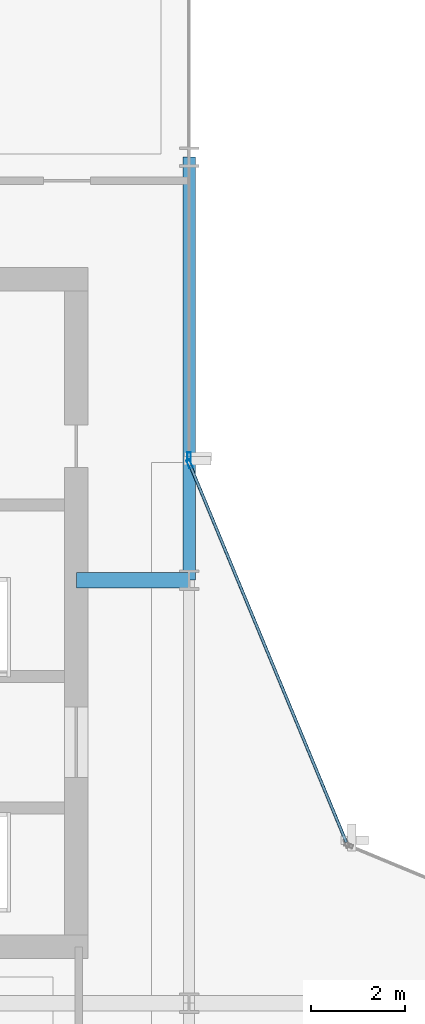
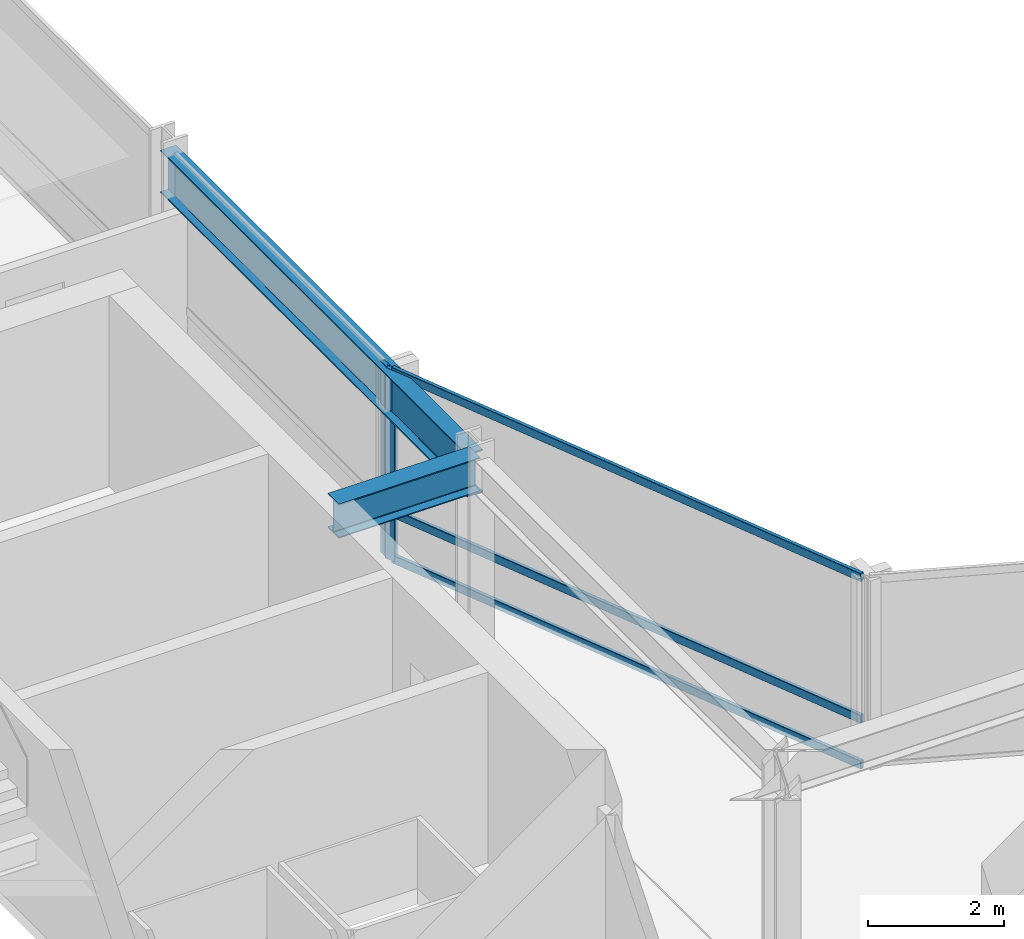
# One storey, part 17 of 29: 5 members, 2 beams, 2 elements without a shape of their own.
"""IFC4 building model written with IfcOpenShell, lengths in metres."""

from ifc_helpers import new_model, si_unit, direction, frame, origin, origin_2d, place, context, subcontext, project, spatial, hollow_rectangle, i_section, extrude, material, layer, layer_set, material_profile, profile_set, type_object, element, aggregate, save


model = new_model("IFC4")

# Units and contexts
model_context = context("Model", 3, precision=1e-05, world=origin(), true_north=direction((0.0, 1.0)))
body_context = subcontext(model_context, "Body", "Model", "MODEL_VIEW")
ifc_project = project(units=[si_unit("LENGTHUNIT", "METRE"), si_unit("AREAUNIT", "SQUARE_METRE"), si_unit("VOLUMEUNIT", "CUBIC_METRE"), si_unit("PLANEANGLEUNIT", "RADIAN"), si_unit("MASSUNIT", "GRAM", prefix="KILO")], contexts=[model_context])

# Site, building, storey
site_placement = place(None, origin())
site = spatial("IfcSite", under=ifc_project, at=site_placement, CompositionType="ELEMENT")
building_placement = place(site_placement, origin())
building = spatial("IfcBuilding", under=site, at=building_placement, Name="Solvaryn Broadcast Tower", CompositionType="ELEMENT")
storey_placement = place(building_placement, frame((0.0, 0.0, 161.800048828125)))
storey = spatial("IfcBuildingStorey", under=building, at=storey_placement, Name="L40", CompositionType="ELEMENT", Elevation=161.800048828125)

# Beams
ifc_material_1 = material(Name="Steel ASTM A992 Grade 50", Category="steel")
ifc_material_profile_1 = material_profile(ifc_material_1, i_section(OverallWidth=0.323974609375, OverallDepth=0.611083984375, WebThickness=0.0126953125, FlangeThickness=0.01904296875, FilletRadius=0.014892578125, at=origin_2d()))
ifc_profile_set_1 = profile_set([ifc_material_profile_1], Name="Steel ASTM A992 Grade 50")
beam_type_1 = type_object("IfcBeamType", Name="BM-B1-W24X104", PredefinedType="BEAM", material=ifc_profile_set_1)
beam_1_placement = place(storey_placement, frame((24.60009765625, 36.0, 3.114501953125), z_axis=(1.0, 0.0, 0.0), x_axis=(0.0, 1.0, 0.0)))
element("IfcBeam", 1, at=beam_1_placement, inside=storey, type_object=beam_type_1, Name="L40 Core Tie Beam CTW2", PredefinedType="BEAM", context=body_context, shape_type="SweptSolid", body=[
    extrude(i_section(OverallWidth=0.323974609375, OverallDepth=0.611083984375, WebThickness=0.0126953125, FlangeThickness=0.01904296875, FilletRadius=0.014892578125, at=origin_2d()), origin(), (0.0, 0.0, 1.0), 2.39990234375),
])
ifc_material_2 = material(Name="Steel ASTM A992 Grade 50", Category="steel")
ifc_material_profile_2 = material_profile(ifc_material_2, i_section(OverallWidth=0.26708984375, OverallDepth=0.76611328125, WebThickness=0.014892578125, FlangeThickness=0.023681640625, FilletRadius=0.01806640625, at=origin_2d()))
ifc_profile_set_2 = profile_set([ifc_material_profile_2], Name="Steel ASTM A992 Grade 50")
beam_type_2 = type_object("IfcBeamType", Name="BM-SP2-W30X124", PredefinedType="USERDEFINED", material=ifc_profile_set_2)
beam_2_placement = place(storey_placement, frame((27.0, 36.0, 3.036865234375), z_axis=(0.0, 1.0, 0.0), x_axis=(-1.0, 0.0, 0.0)))
element("IfcBeam", 2, at=beam_2_placement, inside=storey, type_object=beam_type_2, Name="L40 Spandrel Beam Y (36-45 @ X=27)", ObjectType="SPANDREL", PredefinedType="USERDEFINED", context=body_context, shape_type="SweptSolid", body=[
    extrude(i_section(OverallWidth=0.26708984375, OverallDepth=0.76611328125, WebThickness=0.014892578125, FlangeThickness=0.023681640625, FilletRadius=0.01806640625, at=origin_2d()), origin(), (0.0, 0.0, 1.0), 9.0),
])

# Curtain wall, member
ifc_material_3 = material(Name="Aluminium and Terracotta Unitised Curtain Wall", Category="masonry")
ifc_layer = layer(ifc_material_3, 0.199951171875)
ifc_layer_set = layer_set([ifc_layer], Name="CW-SYS2-LOWMID")
curtain_wall_type = type_object("IfcCurtainWallType", Name="CW-SYS2-LOWMID", PredefinedType="NOTDEFINED", material=ifc_layer_set)
curtain_wall_1_placement = place(storey_placement, origin())
curtain_wall_1 = element("IfcCurtainWall", 3, at=curtain_wall_1_placement, inside=storey, type_object=curtain_wall_type, Name="L40 Curtain Wall IV", PredefinedType="NOTDEFINED")
ifc_material_4 = material(Name="Anodised Aluminium 6063-T6", Category="aluminium")
ifc_material_profile_3 = material_profile(ifc_material_4, hollow_rectangle(XDim=0.074951171875, YDim=0.179931640625, WallThickness=0.00390625, InnerFilletRadius=0.00390625, OuterFilletRadius=0.008056640625, at=origin_2d()))
ifc_profile_set_3 = profile_set([ifc_material_profile_3], Name="Anodised Aluminium 6063-T6")
member_type_1 = type_object("IfcMemberType", Name="CW-MUL-180", PredefinedType="MULLION", material=ifc_profile_set_3)
member_1_placement = place(storey_placement, frame((27.0, 38.6298828125, 0.0), z_axis=(0.0, 0.0, 1.0), x_axis=(1.0, 0.0, 0.0)))
member_1 = element("IfcMember", 4, at=member_1_placement, type_object=member_type_1, Name="CWS2 mullion 2", PredefinedType="MULLION", context=body_context, shape_type="SweptSolid", body=[
    extrude(hollow_rectangle(XDim=0.074951171875, YDim=0.179931640625, WallThickness=0.00390625, InnerFilletRadius=0.00390625, OuterFilletRadius=0.008056640625, at=origin_2d()), origin(), (0.0, 0.0, 1.0), 3.419921875),
])
aggregate(curtain_wall_1, [member_1])

# Curtain wall, members
curtain_wall_2_placement = place(storey_placement, origin())
curtain_wall_2 = element("IfcCurtainWall", 5, at=curtain_wall_2_placement, inside=storey, type_object=curtain_wall_type, Name="L40 Curtain Wall CN2", PredefinedType="NOTDEFINED")
member_2_placement = place(storey_placement, frame((27.011474609375, 38.47216796875, 0.0), z_axis=(0.0, 0.0, 1.0), x_axis=(-0.923894983957, -0.382646127145, 0.0)))
member_2 = element("IfcMember", 6, at=member_2_placement, type_object=member_type_1, Name="CWS2 mullion 2", PredefinedType="MULLION", context=body_context, shape_type="SweptSolid", body=[
    extrude(hollow_rectangle(XDim=0.074951171875, YDim=0.179931640625, WallThickness=0.00390625, InnerFilletRadius=0.00390625, OuterFilletRadius=0.008056640625, at=origin_2d()), origin(), (0.0, 0.0, 1.0), 3.419921875),
])
ifc_material_5 = material(Name="Anodised Aluminium 6063-T6", Category="aluminium")
ifc_material_profile_4 = material_profile(ifc_material_5, hollow_rectangle(XDim=0.06494140625, YDim=0.14990234375, WallThickness=0.00390625, InnerFilletRadius=0.00390625, OuterFilletRadius=0.008056640625, at=origin_2d()))
ifc_profile_set_4 = profile_set([ifc_material_profile_4], Name="Anodised Aluminium 6063-T6")
member_type_2 = type_object("IfcMemberType", Name="CW-TRN-150", PredefinedType="USERDEFINED", material=ifc_profile_set_4)
member_3_placement = place(storey_placement, frame((30.344970703125, 30.42333984375, 0.030029296875), z_axis=(-0.382635748975, 0.923899282177, 0.0), x_axis=(-0.923899282177, -0.382635748975, 0.0)))
member_3 = element("IfcMember", 7, at=member_3_placement, type_object=member_type_2, Name="CWS2 transom 1.1", ObjectType="TRANSOM", PredefinedType="USERDEFINED", context=body_context, shape_type="SweptSolid", body=[
    extrude(hollow_rectangle(XDim=0.06494140625, YDim=0.14990234375, WallThickness=0.00390625, InnerFilletRadius=0.00390625, OuterFilletRadius=0.008056640625, at=origin_2d()), origin(), (0.0, 0.0, 1.0), 8.681884765625),
])
member_4_placement = place(storey_placement, frame((30.344970703125, 30.42333984375, 0.849853515625), z_axis=(-0.382635748975, 0.923899282177, 0.0), x_axis=(-0.923899282177, -0.382635748975, 0.0)))
member_4 = element("IfcMember", 8, at=member_4_placement, type_object=member_type_2, Name="CWS2 transom 1.2", ObjectType="TRANSOM", PredefinedType="USERDEFINED", context=body_context, shape_type="SweptSolid", body=[
    extrude(hollow_rectangle(XDim=0.06494140625, YDim=0.14990234375, WallThickness=0.00390625, InnerFilletRadius=0.00390625, OuterFilletRadius=0.008056640625, at=origin_2d()), origin(), (0.0, 0.0, 1.0), 8.681884765625),
])
member_5_placement = place(storey_placement, frame((30.344970703125, 30.42333984375, 3.389892578125), z_axis=(-0.382635748975, 0.923899282177, 0.0), x_axis=(-0.923899282177, -0.382635748975, 0.0)))
member_5 = element("IfcMember", 9, at=member_5_placement, type_object=member_type_2, Name="CWS2 transom 1.3", ObjectType="TRANSOM", PredefinedType="USERDEFINED", context=body_context, shape_type="SweptSolid", body=[
    extrude(hollow_rectangle(XDim=0.06494140625, YDim=0.14990234375, WallThickness=0.00390625, InnerFilletRadius=0.00390625, OuterFilletRadius=0.008056640625, at=origin_2d()), origin(), (0.0, 0.0, 1.0), 8.681884765625),
])
aggregate(curtain_wall_2, [member_2, member_3, member_4, member_5])

save(model, "model.ifc")
